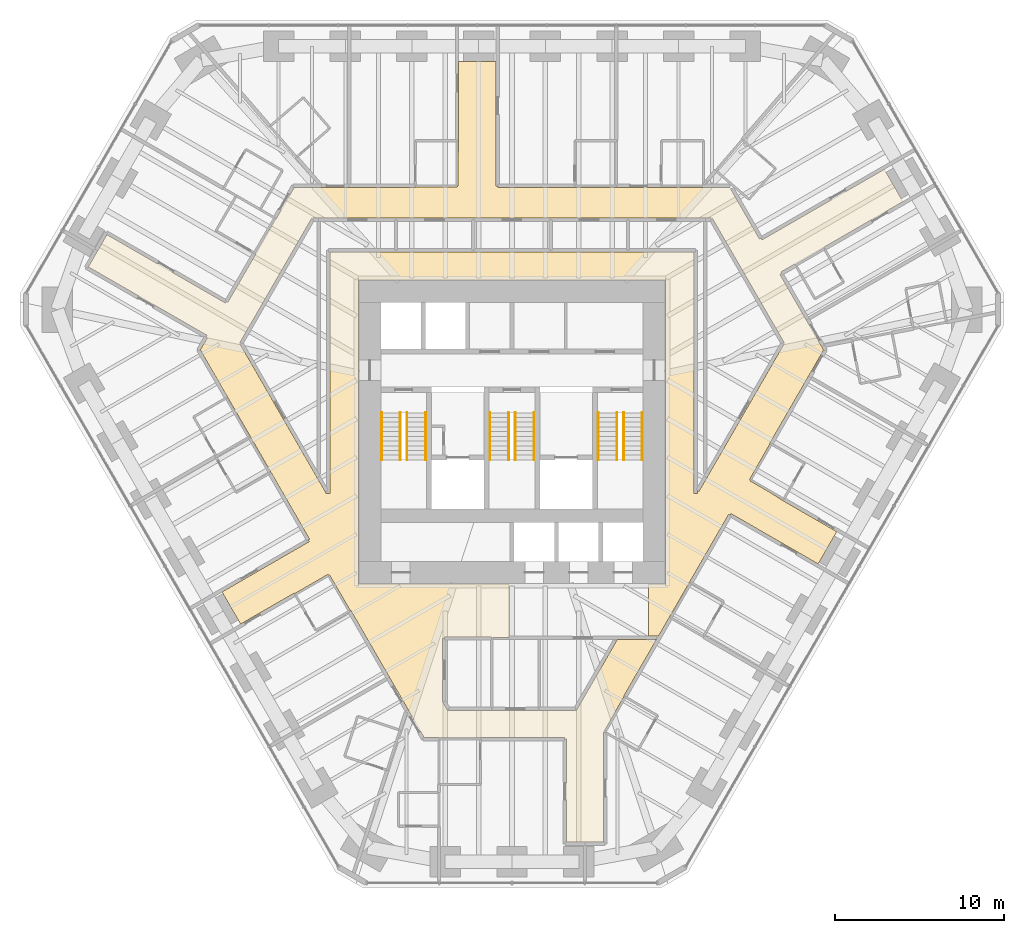
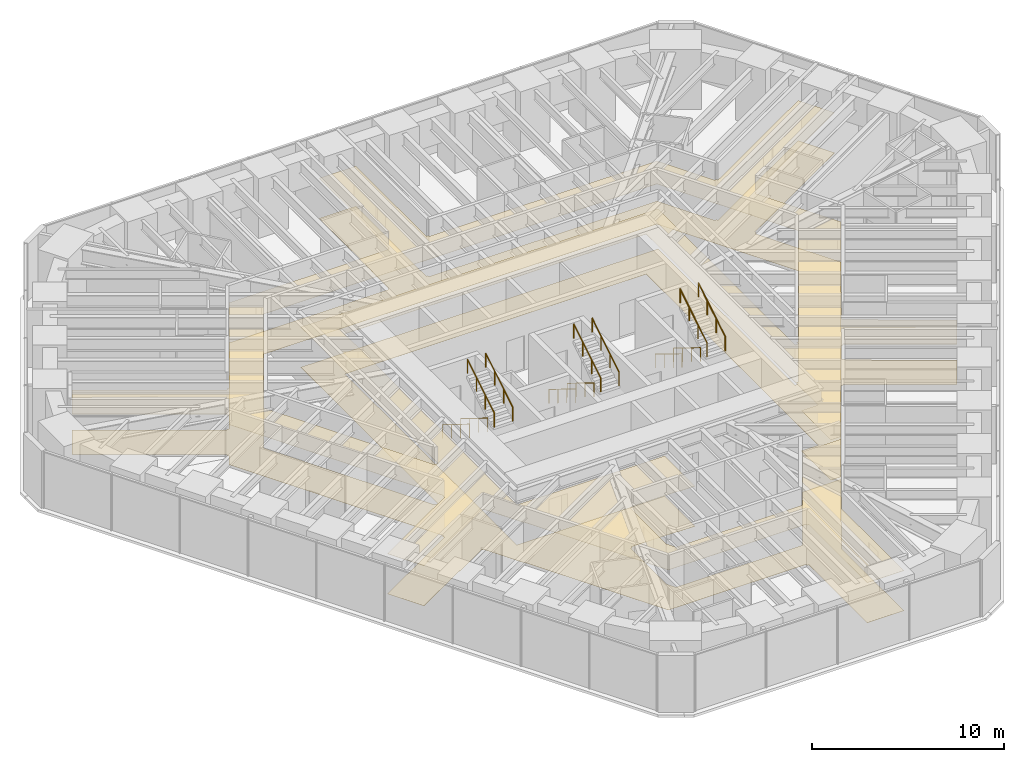
# One storey, part 17 of 17: 12 railings, 2 coverings.
"""IFC4 building model written with IfcOpenShell, lengths in metres."""

from ifc_helpers import new_model, si_unit, direction, frame, origin, origin_2d, place, context, subcontext, project, spatial, polyline, circle, outline, extrude, material, layer, layer_set, type_object, element, save


model = new_model("IFC4")

# Units and contexts
model_context = context("Model", 3, precision=1e-05, world=origin(), true_north=direction((0.0, 1.0)))
body_context = subcontext(model_context, "Body", "Model", "MODEL_VIEW")
ifc_project = project(units=[si_unit("LENGTHUNIT", "METRE"), si_unit("AREAUNIT", "SQUARE_METRE"), si_unit("VOLUMEUNIT", "CUBIC_METRE"), si_unit("PLANEANGLEUNIT", "RADIAN"), si_unit("MASSUNIT", "GRAM", prefix="KILO")], contexts=[model_context])

# Site, building, storey
site_placement = place(None, origin())
site = spatial("IfcSite", under=ifc_project, at=site_placement, CompositionType="ELEMENT")
building_placement = place(site_placement, origin())
building = spatial("IfcBuilding", under=site, at=building_placement, Name="Sandreach Pilgrim Tower", CompositionType="ELEMENT")
storey_placement = place(building_placement, frame((0.0, 0.0, 123.39990234375)))
storey = spatial("IfcBuildingStorey", under=building, at=storey_placement, Name="L30", CompositionType="ELEMENT", Elevation=123.39990234375)

# Coverings
ifc_material_1 = material(Name="Nylon carpet tile on the slab", Category="textile")
ifc_layer_1 = layer(ifc_material_1, 0.008056640625)
ifc_layer_set_1 = layer_set([ifc_layer_1], Name="Carpet tile")
covering_type_1 = type_object("IfcCoveringType", Name="Carpet tile", PredefinedType="FLOORING", material=ifc_layer_set_1)
covering_1_placement = place(storey_placement, origin())
element("IfcCovering", 1, at=covering_1_placement, inside=storey, type_object=covering_type_1, Name="Floor finish 30C Corridor 30", PredefinedType="FLOORING", context=body_context, shape_type="SweptSolid", body=[
    extrude(outline(polyline([(-16.929931640625, 6.073486328125), (-16.869873046875, 6.165771484375), (-16.788330078125, 6.11865234375), (-12.872314453125, 12.889892578125), (-5.699951171875, 12.889892578125), (-5.699951171875, 12.919921875), (-3.25, 12.929931640625), (-3.247802734375, 12.989990234375), (-3.18994140625, 12.989990234375), (-3.18994140625, 14.568115234375), (-3.14990234375, 15.659912109375), (-3.14990234375, 20.333740234375), (-0.949951171875, 20.333740234375), (-0.949951171875, 12.989990234375), (-0.840087890625, 12.989990234375), (-0.840087890625, 12.889892578125), (12.872314453125, 12.889892578125), (14.6259765625, 9.85302734375), (14.711669921875, 9.902587890625), (14.77001953125, 9.803466796875), (21.993408203125, 13.970703125), (23.0947265625, 12.063232421875), (15.8837890625, 7.904541015625), (15.93310546875, 7.8173828125), (15.833251953125, 7.760009765625), (18.412109375, 3.295654296875), (15.2333984375, -2.2099609375), (15.255126953125, -2.22265625), (14.0380859375, -4.349853515625), (14.0888671875, -4.382080078125), (14.06005859375, -4.431884765625), (15.220703125, -5.1015625), (16.00732421875, -5.6015625), (19.1865234375, -7.435791015625), (18.085693359375, -9.342041015625), (12.93994140625, -6.373291015625), (12.885009765625, -6.46875), (12.79833984375, -6.418701171875), (8.65576171875, -13.60009765625), (8.050048828125, -13.60009765625), (8.050048828125, -10.52001953125), (9.070068359375, -10.52001953125), (9.070068359375, 7.419921875), (-9.070068359375, 7.419921875), (-9.070068359375, -10.52001953125), (-0.175048828125, -10.52001953125), (-0.175048828125, -13.68994140625), (-1.199951171875, -13.67919921875), (-1.199951171875, -13.64990234375), (-3.989990234375, -13.64990234375), (-3.989990234375, -13.75), (-4.10009765625, -13.75), (-4.10009765625, -17.487060546875), (-3.8076171875, -17.989990234375), (3.8076171875, -17.989990234375), (6.2265625, -13.800048828125), (8.540283203125, -13.800048828125), (6.603515625, -17.14990234375), (6.62353515625, -17.16162109375), (5.409912109375, -19.2900390625), (5.409912109375, -25.780029296875), (3.2099609375, -25.780029296875), (3.2099609375, -19.68994140625), (3.10009765625, -19.68994140625), (3.10009765625, -19.590087890625), (-5.1923828125, -19.590087890625), (-9.5234375, -12.090087890625), (-9.55029296875, -12.10546875), (-10.7880859375, -9.97998046875), (-10.840576171875, -10.009033203125), (-10.8701171875, -9.9580078125), (-12.840087890625, -11.09814453125), (-12.85986328125, -11.0634765625), (-16.033935546875, -12.89599609375), (-17.130615234375, -10.99658203125), (-11.989990234375, -8.026611328125), (-12.045166015625, -7.92578125), (-11.960693359375, -7.877197265625), (-18.41455078125, 3.30029296875), (-18.0009765625, 4.01708984375), (-18.083251953125, 4.064453125), (-18.030029296875, 4.166748046875), (-25.033447265625, 8.20654296875), (-23.933349609375, 10.113525390625), (-16.929931640625, 6.073486328125)]), holes=[polyline([(-16.095458984375, 3.699951171875), (-10.965576171875, -5.18994140625), (-10.85009765625, -5.19482421875), (-10.75, -5.18994140625), (-10.75, 9.10009765625), (10.75, 9.10009765625), (10.75, -5.18994140625), (10.949951171875, -5.18994140625), (10.949951171875, -4.99365234375), (11.047119140625, -5.050048828125), (16.095458984375, 3.699951171875), (11.82763671875, 11.090087890625), (-11.82763671875, 11.090087890625), (-16.095458984375, 3.699951171875)])]), origin(), (0.0, 0.0, 1.0), 0.008056640625),
])
ifc_material_2 = material(Name="Gypsum board suspended ceiling on a steel grid", Category="steel")
ifc_layer_2 = layer(ifc_material_2, 0.012939453125)
ifc_layer_set_2 = layer_set([ifc_layer_2], Name="Gypsum board suspended ceiling")
covering_type_2 = type_object("IfcCoveringType", Name="Gypsum board suspended ceiling", PredefinedType="CEILING", material=ifc_layer_set_2)
covering_2_placement = place(storey_placement, frame((0.0, 0.0, 2.550048828125)))
element("IfcCovering", 2, at=covering_2_placement, inside=storey, type_object=covering_type_2, Name="Ceiling 30C Corridor 30", PredefinedType="CEILING", context=body_context, shape_type="SweptSolid", body=[
    extrude(outline(polyline([(-16.929931640625, 6.073486328125), (-16.869873046875, 6.165771484375), (-16.788330078125, 6.11865234375), (-12.872314453125, 12.889892578125), (-5.699951171875, 12.889892578125), (-5.699951171875, 12.919921875), (-3.25, 12.929931640625), (-3.247802734375, 12.989990234375), (-3.18994140625, 12.989990234375), (-3.18994140625, 14.568115234375), (-3.14990234375, 15.659912109375), (-3.14990234375, 20.333740234375), (-0.949951171875, 20.333740234375), (-0.949951171875, 12.989990234375), (-0.840087890625, 12.989990234375), (-0.840087890625, 12.889892578125), (12.872314453125, 12.889892578125), (14.6259765625, 9.85302734375), (14.711669921875, 9.902587890625), (14.77001953125, 9.803466796875), (21.993408203125, 13.970703125), (23.0947265625, 12.063232421875), (15.8837890625, 7.904541015625), (15.93310546875, 7.8173828125), (15.833251953125, 7.760009765625), (18.412109375, 3.295654296875), (15.2333984375, -2.2099609375), (15.255126953125, -2.22265625), (14.0380859375, -4.349853515625), (14.0888671875, -4.382080078125), (14.06005859375, -4.431884765625), (15.220703125, -5.1015625), (16.00732421875, -5.6015625), (19.1865234375, -7.435791015625), (18.085693359375, -9.342041015625), (12.93994140625, -6.373291015625), (12.885009765625, -6.46875), (12.79833984375, -6.418701171875), (8.65576171875, -13.60009765625), (8.050048828125, -13.60009765625), (8.050048828125, -10.52001953125), (9.070068359375, -10.52001953125), (9.070068359375, 7.419921875), (-9.070068359375, 7.419921875), (-9.070068359375, -10.52001953125), (-0.175048828125, -10.52001953125), (-0.175048828125, -13.68994140625), (-1.199951171875, -13.67919921875), (-1.199951171875, -13.64990234375), (-3.989990234375, -13.64990234375), (-3.989990234375, -13.75), (-4.10009765625, -13.75), (-4.10009765625, -17.487060546875), (-3.8076171875, -17.989990234375), (3.8076171875, -17.989990234375), (6.2265625, -13.800048828125), (8.540283203125, -13.800048828125), (6.603515625, -17.14990234375), (6.62353515625, -17.16162109375), (5.409912109375, -19.2900390625), (5.409912109375, -25.780029296875), (3.2099609375, -25.780029296875), (3.2099609375, -19.68994140625), (3.10009765625, -19.68994140625), (3.10009765625, -19.590087890625), (-5.1923828125, -19.590087890625), (-9.5234375, -12.090087890625), (-9.55029296875, -12.10546875), (-10.7880859375, -9.97998046875), (-10.840576171875, -10.009033203125), (-10.8701171875, -9.9580078125), (-12.840087890625, -11.09814453125), (-12.85986328125, -11.0634765625), (-16.033935546875, -12.89599609375), (-17.130615234375, -10.99658203125), (-11.989990234375, -8.026611328125), (-12.045166015625, -7.92578125), (-11.960693359375, -7.877197265625), (-18.41455078125, 3.30029296875), (-18.0009765625, 4.01708984375), (-18.083251953125, 4.064453125), (-18.030029296875, 4.166748046875), (-25.033447265625, 8.20654296875), (-23.933349609375, 10.113525390625), (-16.929931640625, 6.073486328125)]), holes=[polyline([(-16.095458984375, 3.699951171875), (-10.965576171875, -5.18994140625), (-10.85009765625, -5.19482421875), (-10.75, -5.18994140625), (-10.75, 9.10009765625), (10.75, 9.10009765625), (10.75, -5.18994140625), (10.949951171875, -5.18994140625), (10.949951171875, -4.99365234375), (11.047119140625, -5.050048828125), (16.095458984375, 3.699951171875), (11.82763671875, 11.090087890625), (-11.82763671875, 11.090087890625), (-16.095458984375, 3.699951171875)])]), origin(), (0.0, 0.0, 1.0), 0.012939453125),
])

# Railings
ifc_material_3 = material(Name="Stainless steel tube", Category="steel")
railing_type = type_object("IfcRailingType", Name="Stair handrail", PredefinedType="HANDRAIL", material=ifc_material_3)
for number, where, name in (
    (3, (-6.60009765625, -0.39990234375, 0.1728515625), "Handrail ST1 L30 flight 1"),
    (4, (-7.699951171875, -0.39990234375, 0.1728515625), "Handrail ST1 L30 flight 1"),
):
    element("IfcRailing", number, at=place(storey_placement, frame(where)), inside=storey, type_object=railing_type, Name=name, PredefinedType="HANDRAIL", context=body_context, shape_type="SweptSolid", body=[
        extrude(circle(Radius=0.02392578125, at=origin_2d()), frame((0.0, 0.0, 0.8759765625), z_axis=(0.0, -0.851089632645, 0.525020415988), x_axis=(1.0, 0.0, 0.0)), (0.0, 0.0, 1.0), 3.2900390625),
        extrude(circle(Radius=0.02099609375, at=origin_2d()), origin(), (0.0, 0.0, 1.0), 0.851806640625),
        extrude(circle(Radius=0.02099609375, at=origin_2d()), frame((0.0, -0.933349609375, 0.57568359375)), (0.0, 0.0, 1.0), 0.851806640625),
        extrude(circle(Radius=0.02099609375, at=origin_2d()), frame((0.0, -1.86669921875, 1.151611328125)), (0.0, 0.0, 1.0), 0.851806640625),
        extrude(circle(Radius=0.02099609375, at=origin_2d()), frame((0.0, -2.800048828125, 1.727294921875)), (0.0, 0.0, 1.0), 0.851806640625),
    ])
for number, where, name in (
    (5, (-6.199951171875, -3.199951171875, 2.07275390625), "Handrail ST1 L30 flight 2"),
    (6, (-5.10009765625, -3.199951171875, 2.07275390625), "Handrail ST1 L30 flight 2"),
):
    element("IfcRailing", number, at=place(storey_placement, frame(where)), inside=storey, type_object=railing_type, Name=name, PredefinedType="HANDRAIL", context=body_context, shape_type="SweptSolid", body=[
        extrude(circle(Radius=0.02392578125, at=origin_2d()), frame((0.0, 0.0, 0.8759765625), z_axis=(0.0, 0.851089632645, 0.525020415988), x_axis=(-1.0, 0.0, 0.0)), (0.0, 0.0, 1.0), 3.2900390625),
        extrude(circle(Radius=0.02099609375, at=origin_2d()), origin(), (0.0, 0.0, 1.0), 0.851806640625),
        extrude(circle(Radius=0.02099609375, at=origin_2d()), frame((0.0, 0.933349609375, 0.57568359375)), (0.0, 0.0, 1.0), 0.851806640625),
        extrude(circle(Radius=0.02099609375, at=origin_2d()), frame((0.0, 1.86669921875, 1.151611328125)), (0.0, 0.0, 1.0), 0.851806640625),
        extrude(circle(Radius=0.02099609375, at=origin_2d()), frame((0.0, 2.800048828125, 1.727294921875)), (0.0, 0.0, 1.0), 0.851806640625),
    ])
for number, where, name in (
    (7, (-0.199951171875, -0.39990234375, 0.1728515625), "Handrail ST3 L30 flight 1"),
    (8, (-1.300048828125, -0.39990234375, 0.1728515625), "Handrail ST3 L30 flight 1"),
):
    element("IfcRailing", number, at=place(storey_placement, frame(where)), inside=storey, type_object=railing_type, Name=name, PredefinedType="HANDRAIL", context=body_context, shape_type="SweptSolid", body=[
        extrude(circle(Radius=0.02392578125, at=origin_2d()), frame((0.0, 0.0, 0.8759765625), z_axis=(0.0, -0.851089632645, 0.525020415988), x_axis=(1.0, 0.0, 0.0)), (0.0, 0.0, 1.0), 3.2900390625),
        extrude(circle(Radius=0.02099609375, at=origin_2d()), origin(), (0.0, 0.0, 1.0), 0.851806640625),
        extrude(circle(Radius=0.02099609375, at=origin_2d()), frame((0.0, -0.933349609375, 0.57568359375)), (0.0, 0.0, 1.0), 0.851806640625),
        extrude(circle(Radius=0.02099609375, at=origin_2d()), frame((0.0, -1.86669921875, 1.151611328125)), (0.0, 0.0, 1.0), 0.851806640625),
        extrude(circle(Radius=0.02099609375, at=origin_2d()), frame((0.0, -2.800048828125, 1.727294921875)), (0.0, 0.0, 1.0), 0.851806640625),
    ])
for number, where, name in (
    (9, (0.199951171875, -3.199951171875, 2.07275390625), "Handrail ST3 L30 flight 2"),
    (10, (1.300048828125, -3.199951171875, 2.07275390625), "Handrail ST3 L30 flight 2"),
):
    element("IfcRailing", number, at=place(storey_placement, frame(where)), inside=storey, type_object=railing_type, Name=name, PredefinedType="HANDRAIL", context=body_context, shape_type="SweptSolid", body=[
        extrude(circle(Radius=0.02392578125, at=origin_2d()), frame((0.0, 0.0, 0.8759765625), z_axis=(0.0, 0.851089632645, 0.525020415988), x_axis=(-1.0, 0.0, 0.0)), (0.0, 0.0, 1.0), 3.2900390625),
        extrude(circle(Radius=0.02099609375, at=origin_2d()), origin(), (0.0, 0.0, 1.0), 0.851806640625),
        extrude(circle(Radius=0.02099609375, at=origin_2d()), frame((0.0, 0.933349609375, 0.57568359375)), (0.0, 0.0, 1.0), 0.851806640625),
        extrude(circle(Radius=0.02099609375, at=origin_2d()), frame((0.0, 1.86669921875, 1.151611328125)), (0.0, 0.0, 1.0), 0.851806640625),
        extrude(circle(Radius=0.02099609375, at=origin_2d()), frame((0.0, 2.800048828125, 1.727294921875)), (0.0, 0.0, 1.0), 0.851806640625),
    ])
for number, where, name in (
    (11, (6.199951171875, -0.39990234375, 0.1728515625), "Handrail ST2 L30 flight 1"),
    (12, (5.10009765625, -0.39990234375, 0.1728515625), "Handrail ST2 L30 flight 1"),
):
    element("IfcRailing", number, at=place(storey_placement, frame(where)), inside=storey, type_object=railing_type, Name=name, PredefinedType="HANDRAIL", context=body_context, shape_type="SweptSolid", body=[
        extrude(circle(Radius=0.02392578125, at=origin_2d()), frame((0.0, 0.0, 0.8759765625), z_axis=(0.0, -0.851089632645, 0.525020415988), x_axis=(1.0, 0.0, 0.0)), (0.0, 0.0, 1.0), 3.2900390625),
        extrude(circle(Radius=0.02099609375, at=origin_2d()), origin(), (0.0, 0.0, 1.0), 0.851806640625),
        extrude(circle(Radius=0.02099609375, at=origin_2d()), frame((0.0, -0.933349609375, 0.57568359375)), (0.0, 0.0, 1.0), 0.851806640625),
        extrude(circle(Radius=0.02099609375, at=origin_2d()), frame((0.0, -1.86669921875, 1.151611328125)), (0.0, 0.0, 1.0), 0.851806640625),
        extrude(circle(Radius=0.02099609375, at=origin_2d()), frame((0.0, -2.800048828125, 1.727294921875)), (0.0, 0.0, 1.0), 0.851806640625),
    ])
for number, where, name in (
    (13, (6.60009765625, -3.199951171875, 2.07275390625), "Handrail ST2 L30 flight 2"),
    (14, (7.699951171875, -3.199951171875, 2.07275390625), "Handrail ST2 L30 flight 2"),
):
    element("IfcRailing", number, at=place(storey_placement, frame(where)), inside=storey, type_object=railing_type, Name=name, PredefinedType="HANDRAIL", context=body_context, shape_type="SweptSolid", body=[
        extrude(circle(Radius=0.02392578125, at=origin_2d()), frame((0.0, 0.0, 0.8759765625), z_axis=(0.0, 0.851089632645, 0.525020415988), x_axis=(-1.0, 0.0, 0.0)), (0.0, 0.0, 1.0), 3.2900390625),
        extrude(circle(Radius=0.02099609375, at=origin_2d()), origin(), (0.0, 0.0, 1.0), 0.851806640625),
        extrude(circle(Radius=0.02099609375, at=origin_2d()), frame((0.0, 0.933349609375, 0.57568359375)), (0.0, 0.0, 1.0), 0.851806640625),
        extrude(circle(Radius=0.02099609375, at=origin_2d()), frame((0.0, 1.86669921875, 1.151611328125)), (0.0, 0.0, 1.0), 0.851806640625),
        extrude(circle(Radius=0.02099609375, at=origin_2d()), frame((0.0, 2.800048828125, 1.727294921875)), (0.0, 0.0, 1.0), 0.851806640625),
    ])

save(model, "model.ifc")
